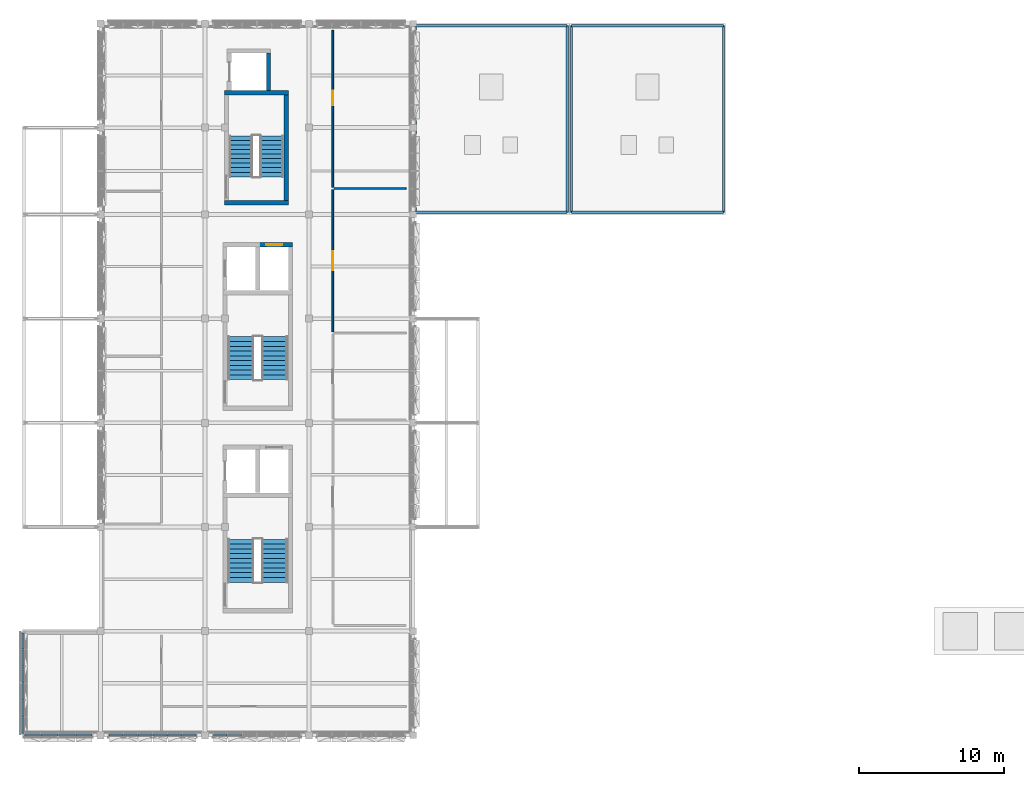
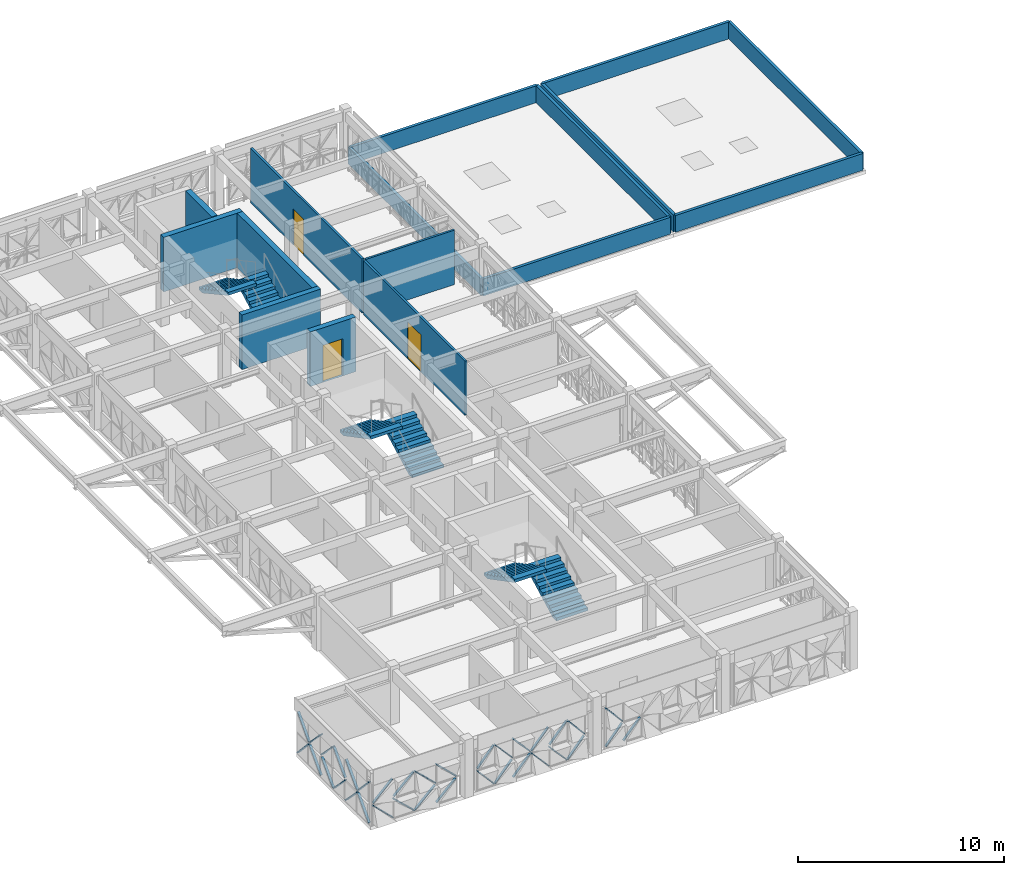
# One storey, part 22 of 30: 35 discrete accessories, 16 walls, 6 stair flights, 3 doors, 3 openings, 3 elements without a shape of their own.
"""IFC4 building model written with IfcOpenShell, lengths in metres."""

from ifc_helpers import new_model, si_unit, direction, frame, frame_2d, origin, origin_2d, place, context, subcontext, project, spatial, polyline, rectangle, outline, extrude, material, layer, layer_set, type_object, element, fill, aggregate, save


model = new_model("IFC4")

# Units and contexts
model_context = context("Model", 3, precision=1e-05, world=origin(), true_north=direction((0.0, 1.0)))
body_context = subcontext(model_context, "Body", "Model", "MODEL_VIEW")
ifc_project = project(units=[si_unit("LENGTHUNIT", "METRE"), si_unit("AREAUNIT", "SQUARE_METRE"), si_unit("VOLUMEUNIT", "CUBIC_METRE"), si_unit("PLANEANGLEUNIT", "RADIAN"), si_unit("MASSUNIT", "GRAM", prefix="KILO")], contexts=[model_context])

# Site, building, storey
site_placement = place(None, origin())
site = spatial("IfcSite", under=ifc_project, at=site_placement, CompositionType="ELEMENT")
building_placement = place(site_placement, origin())
building = spatial("IfcBuilding", under=site, at=building_placement, Name="Alvorim Cloister Faculty of Sciences", CompositionType="ELEMENT")
storey_placement = place(building_placement, frame((0.0, 0.0, 26.25)))
storey = spatial("IfcBuildingStorey", under=building, at=storey_placement, Name="L07", CompositionType="ELEMENT", Elevation=26.25)

# Walls
ifc_material_1 = material(Name="Precast Concrete C40", Category="concrete")
ifc_layer_1 = layer(ifc_material_1, 0.159912109375)
ifc_layer_set_1 = layer_set([ifc_layer_1], Name="Precast Concrete C40")
wall_type_1 = type_object("IfcWallType", Name="WL-PAR-160", PredefinedType="PARAPET", material=ifc_layer_set_1)
wall_1_placement = place(storey_placement, frame((39.449951171875, 43.35009765625, 0.10009765625), z_axis=(0.0, 0.0, 1.0), x_axis=(0.0, 1.0, 0.0)))
element("IfcWall", 1, at=wall_1_placement, inside=storey, type_object=wall_type_1, Name="RF-V4NW Roof Parapet WL-PAR-0259", PredefinedType="PARAPET", context=body_context, shape_type="SweptSolid", body=[
    extrude(rectangle(XDim=12.89990234375, YDim=0.159912109375, at=frame_2d((6.449951171875, 0.0))), origin(), (0.0, 0.0, 1.0), 1.0),
])
wall_2_placement = place(storey_placement, frame((39.449951171875, 56.25, 0.10009765625), z_axis=(0.0, 0.0, 1.0), x_axis=(-1.0, 0.0, 0.0)))
element("IfcWall", 2, at=wall_2_placement, inside=storey, type_object=wall_type_1, Name="RF-V4NW Roof Parapet WL-PAR-0260", PredefinedType="PARAPET", context=body_context, shape_type="SweptSolid", body=[
    extrude(rectangle(XDim=10.5, YDim=0.159912109375, at=frame_2d((5.25, 0.0))), origin(), (0.0, 0.0, 1.0), 1.0),
])
wall_3_placement = place(storey_placement, frame((28.949951171875, 56.25, 0.10009765625), z_axis=(0.0, 0.0, 1.0), x_axis=(0.0, -1.0, 0.0)))
element("IfcWall", 3, at=wall_3_placement, inside=storey, type_object=wall_type_1, Name="RF-V4NW Roof Parapet WL-PAR-0261", PredefinedType="PARAPET", context=body_context, shape_type="SweptSolid", body=[
    extrude(rectangle(XDim=12.89990234375, YDim=0.159912109375, at=frame_2d((6.449951171875, 0.0))), origin(), (0.0, 0.0, 1.0), 1.0),
])
wall_4_placement = place(storey_placement, frame((28.949951171875, 43.35009765625, 0.10009765625), z_axis=(0.0, 0.0, 1.0), x_axis=(1.0, 0.0, 0.0)))
element("IfcWall", 4, at=wall_4_placement, inside=storey, type_object=wall_type_1, Name="RF-V4NW Roof Parapet WL-PAR-0262", PredefinedType="PARAPET", context=body_context, shape_type="SweptSolid", body=[
    extrude(rectangle(XDim=10.5, YDim=0.159912109375, at=frame_2d((5.25, 0.0))), origin(), (0.0, 0.0, 1.0), 1.0),
])
wall_5_placement = place(storey_placement, frame((50.25, 43.35009765625, 0.10009765625), z_axis=(0.0, 0.0, 1.0), x_axis=(0.0, 1.0, 0.0)))
element("IfcWall", 5, at=wall_5_placement, inside=storey, type_object=wall_type_1, Name="RF-V4NE Roof Parapet WL-PAR-0263", PredefinedType="PARAPET", context=body_context, shape_type="SweptSolid", body=[
    extrude(rectangle(XDim=12.89990234375, YDim=0.159912109375, at=frame_2d((6.449951171875, 0.0))), origin(), (0.0, 0.0, 1.0), 1.0),
])
wall_6_placement = place(storey_placement, frame((50.25, 56.25, 0.10009765625), z_axis=(0.0, 0.0, 1.0), x_axis=(-1.0, 0.0, 0.0)))
element("IfcWall", 6, at=wall_6_placement, inside=storey, type_object=wall_type_1, Name="RF-V4NE Roof Parapet WL-PAR-0264", PredefinedType="PARAPET", context=body_context, shape_type="SweptSolid", body=[
    extrude(rectangle(XDim=10.5, YDim=0.159912109375, at=frame_2d((5.25, 0.0))), origin(), (0.0, 0.0, 1.0), 1.0),
])
wall_7_placement = place(storey_placement, frame((39.75, 56.25, 0.10009765625), z_axis=(0.0, 0.0, 1.0), x_axis=(0.0, -1.0, 0.0)))
element("IfcWall", 7, at=wall_7_placement, inside=storey, type_object=wall_type_1, Name="RF-V4NE Roof Parapet WL-PAR-0265", PredefinedType="PARAPET", context=body_context, shape_type="SweptSolid", body=[
    extrude(rectangle(XDim=12.89990234375, YDim=0.159912109375, at=frame_2d((6.449951171875, 0.0))), origin(), (0.0, 0.0, 1.0), 1.0),
])
wall_8_placement = place(storey_placement, frame((39.75, 43.35009765625, 0.10009765625), z_axis=(0.0, 0.0, 1.0), x_axis=(1.0, 0.0, 0.0)))
element("IfcWall", 8, at=wall_8_placement, inside=storey, type_object=wall_type_1, Name="RF-V4NE Roof Parapet WL-PAR-0266", PredefinedType="PARAPET", context=body_context, shape_type="SweptSolid", body=[
    extrude(rectangle(XDim=10.5, YDim=0.159912109375, at=frame_2d((5.25, 0.0))), origin(), (0.0, 0.0, 1.0), 1.0),
])

# Wall, opening, door
ifc_material_2 = material(Name="Acoustic Gypsum Stud Partition", Category="gypsum")
ifc_layer_2 = layer(ifc_material_2, 0.1201171875)
ifc_layer_set_2 = layer_set([ifc_layer_2], Name="Acoustic Gypsum Stud Partition")
wall_type_2 = type_object("IfcWallType", Name="WL-PRT-120", PredefinedType="PARTITIONING", material=ifc_layer_set_2)
wall_9_placement = place(storey_placement, frame((23.25, 35.080078125, 0.0), z_axis=(0.0, 0.0, 1.0), x_axis=(0.0, 1.0, 0.0)))
wall_9 = element("IfcWall", 9, at=wall_9_placement, inside=storey, type_object=wall_type_2, Name="L07 Doctoral Colloquium Room Partition IWL-0700", PredefinedType="PARTITIONING", context=body_context, shape_type="SweptSolid", body=[
    extrude(rectangle(XDim=9.83984375, YDim=0.1201171875, at=frame_2d((4.919921875, 0.0))), origin(), (0.0, 0.0, 1.0), 3.22509765625),
])
opening_1_placement = place(wall_9_placement, frame((4.260009765625, 0.0, 0.0)))
opening_1 = element("IfcOpeningElement", 10, at=opening_1_placement, cuts=wall_9, Name="Opening D-L07-211", PredefinedType="OPENING", context=body_context, shape_type="SweptSolid", body=[
    extrude(rectangle(XDim=1.320068359375, YDim=2.199951171875, at=frame_2d((0.66015625, 1.10009765625))), frame((0.0, 0.072021484375, 0.0), z_axis=(0.0, -1.0, 0.0), x_axis=(1.0, 0.0, 0.0)), (0.0, 0.0, 1.0), 0.14404296875),
])
ifc_material_3 = material(Name="Solid Acoustic Oak Timber", Category="wood")
door_type_1 = type_object("IfcDoorType", Name="DR-SEM-1320x2200", OperationType="NOTDEFINED", PredefinedType="DOOR", material=ifc_material_3)
door_1_placement = place(opening_1_placement, origin())
door_1 = element("IfcDoor", 11, at=door_1_placement, inside=storey, type_object=door_type_1, Name="Doctoral Colloquium Room Door D-L07-211", OperationType="SINGLE_SWING_LEFT", OverallHeight=2.199951171875, OverallWidth=1.320068359375, PredefinedType="DOOR", context=body_context, shape_type="SweptSolid", body=[
    extrude(rectangle(XDim=1.320068359375, YDim=2.199951171875, at=frame_2d((0.66015625, 1.10009765625))), frame((0.0, 0.02490234375, 0.0), z_axis=(0.0, -1.0, 0.0), x_axis=(1.0, 0.0, 0.0)), (0.0, 0.0, 1.0), 0.050048828125),
])
fill(opening_1, door_1)

# Wall
wall_10_placement = place(storey_placement, frame((23.330078125, 45.0, 0.0), z_axis=(0.0, 0.0, 1.0), x_axis=(1.0, 0.0, 0.0)))
element("IfcWall", 12, at=wall_10_placement, inside=storey, type_object=wall_type_2, Name="L07 Doctoral Colloquium Room Partition IWL-0701", PredefinedType="PARTITIONING", context=body_context, shape_type="SweptSolid", body=[
    extrude(rectangle(XDim=4.989990234375, YDim=0.1201171875, at=frame_2d((2.4951171875, 0.0))), origin(), (0.0, 0.0, 1.0), 3.22509765625),
])

# Wall, opening, door
wall_11_placement = place(storey_placement, frame((23.25, 45.080078125, 0.0), z_axis=(0.0, 0.0, 1.0), x_axis=(0.0, 1.0, 0.0)))
wall_11 = element("IfcWall", 13, at=wall_11_placement, inside=storey, type_object=wall_type_2, Name="L07 Emeritus Professors Offices Partition IWL-0702", PredefinedType="PARTITIONING", context=body_context, shape_type="SweptSolid", body=[
    extrude(rectangle(XDim=10.83984375, YDim=0.1201171875, at=frame_2d((5.419921875, 0.0))), origin(), (0.0, 0.0, 1.0), 3.22509765625),
])
opening_2_placement = place(wall_11_placement, frame((5.668212890625, 0.0, 0.0)))
opening_2 = element("IfcOpeningElement", 14, at=opening_2_placement, cuts=wall_11, Name="Opening D-L07-212", PredefinedType="OPENING", context=body_context, shape_type="SweptSolid", body=[
    extrude(rectangle(XDim=1.0, YDim=2.14990234375, at=frame_2d((0.5, 1.074951171875))), frame((0.0, 0.072021484375, 0.0), z_axis=(0.0, -1.0, 0.0), x_axis=(1.0, 0.0, 0.0)), (0.0, 0.0, 1.0), 0.14404296875),
])
door_type_2 = type_object("IfcDoorType", Name="DR-OFF-1000x2150", OperationType="NOTDEFINED", PredefinedType="DOOR", material=ifc_material_3)
door_2_placement = place(opening_2_placement, origin())
door_2 = element("IfcDoor", 15, at=door_2_placement, inside=storey, type_object=door_type_2, Name="Emeritus Professors Offices Door D-L07-212", OperationType="SINGLE_SWING_RIGHT", OverallHeight=2.14990234375, OverallWidth=1.0, PredefinedType="DOOR", context=body_context, shape_type="SweptSolid", body=[
    extrude(rectangle(XDim=1.0, YDim=2.14990234375, at=frame_2d((0.5, 1.074951171875))), frame((0.0, 0.02490234375, 0.0), z_axis=(0.0, -1.0, 0.0), x_axis=(1.0, 0.0, 0.0)), (0.0, 0.0, 1.0), 0.050048828125),
])
fill(opening_2, door_2)

# Walls
ifc_material_4 = material(Name="Concrete C40", Category="concrete")
ifc_layer_3 = layer(ifc_material_4, 0.300048828125)
ifc_layer_set_3 = layer_set([ifc_layer_3], Name="Concrete C40")
wall_type_3 = type_object("IfcWallType", Name="WL-SHR-300", PredefinedType="SHEAR", material=ifc_layer_set_3)
for number, where, z_axis, x_axis, name in (
    (16, (15.75, 44.0, 0.0), (0.0, 0.0, 1.0), (1.0, 0.0, 0.0), "L07 CORE K3 Shear Wall IWL-0121"),
    (17, (15.75, 51.60009765625, 0.0), (0.0, 0.0, 1.0), (1.0, 0.0, 0.0), "L07 CORE K3 Shear Wall IWL-0122"),
):
    element("IfcWall", number, at=place(storey_placement, frame(where, z_axis=z_axis, x_axis=x_axis)), inside=storey, type_object=wall_type_3, Name=name, PredefinedType="SHEAR", context=body_context, shape_type="SweptSolid", body=[
        extrude(rectangle(XDim=4.419921875, YDim=0.300048828125, at=frame_2d((2.2099609375, 0.0))), origin(), (0.0, 0.0, 1.0), 3.239990234375),
    ])
wall_12_placement = place(storey_placement, frame((20.02001953125, 44.14990234375, 0.0), z_axis=(0.0, 0.0, 1.0), x_axis=(0.0, 1.0, 0.0)))
element("IfcWall", 18, at=wall_12_placement, inside=storey, type_object=wall_type_3, Name="L07 CORE K3 Shear Wall IWL-0124", PredefinedType="SHEAR", context=body_context, shape_type="SweptSolid", body=[
    extrude(rectangle(XDim=7.300048828125, YDim=0.300048828125, at=frame_2d((3.64990234375, 0.0))), origin(), (0.0, 0.0, 1.0), 3.239990234375),
])

# Wall, opening, door
wall_13_placement = place(storey_placement, frame((17.909912109375, 41.10009765625, 0.0), z_axis=(0.0, 0.0, 1.0), x_axis=(1.0, 0.0, 0.0)))
wall_13 = element("IfcWall", 19, at=wall_13_placement, inside=storey, type_object=wall_type_3, Name="L07 Lift LP-03 Shaft Wall IWL-0334", PredefinedType="SHEAR", context=body_context, shape_type="SweptSolid", body=[
    extrude(rectangle(XDim=2.56005859375, YDim=0.300048828125, at=frame_2d((1.280029296875, 0.0))), origin(), (0.0, 0.0, 1.0), 3.239990234375),
])
opening_3_placement = place(wall_13_placement, frame((0.72998046875, 0.0, 0.0)))
opening_3 = element("IfcOpeningElement", 20, at=opening_3_placement, cuts=wall_13, Name="Opening LD-041", PredefinedType="OPENING", context=body_context, shape_type="SweptSolid", body=[
    extrude(rectangle(XDim=1.10009765625, YDim=2.199951171875, at=frame_2d((0.550048828125, 1.10009765625))), frame((0.0, 0.162109375, 0.0), z_axis=(0.0, -1.0, 0.0), x_axis=(1.0, 0.0, 0.0)), (0.0, 0.0, 1.0), 0.323974609375),
])
ifc_material_5 = material(Name="Brushed Stainless Steel", Category="steel")
door_type_3 = type_object("IfcDoorType", Name="DR-LFT-1100x2200", OperationType="NOTDEFINED", PredefinedType="DOOR", material=ifc_material_5)
door_3_placement = place(opening_3_placement, origin())
door_3 = element("IfcDoor", 21, at=door_3_placement, inside=storey, type_object=door_type_3, Name="L07 Lift LP-03 Sliding Landing Door LD-041", OperationType="DOUBLE_DOOR_SLIDING", OverallHeight=2.199951171875, OverallWidth=1.10009765625, PredefinedType="DOOR", context=body_context, shape_type="SweptSolid", body=[
    extrude(rectangle(XDim=1.10009765625, YDim=2.199951171875, at=frame_2d((0.550048828125, 1.10009765625))), frame((0.0, 0.02490234375, 0.0), z_axis=(0.0, -1.0, 0.0), x_axis=(1.0, 0.0, 0.0)), (0.0, 0.0, 1.0), 0.050048828125),
])
fill(opening_3, door_3)

# Wall
wall_14_placement = place(storey_placement, frame((18.800048828125, 51.780029296875, 0.0), z_axis=(0.0, 0.0, 1.0), x_axis=(0.0, 1.0, 0.0)))
element("IfcWall", 22, at=wall_14_placement, inside=storey, type_object=wall_type_3, Name="L07 Lift LG-01 Shaft Wall IWL-0406", PredefinedType="SHEAR", context=body_context, shape_type="SweptSolid", body=[
    extrude(rectangle(XDim=2.570068359375, YDim=0.300048828125, at=frame_2d((1.28515625, 0.0))), origin(), (0.0, 0.0, 1.0), 3.239990234375),
])

# Stair, stair flights
stair_type_1 = type_object("IfcStairType", Name="STR-ST-01-1780x3450", PredefinedType="HALF_TURN_STAIR", material=ifc_material_4)
stair_1_placement = place(storey_placement, origin())
stair_1 = element("IfcStair", 23, at=stair_1_placement, inside=storey, type_object=stair_type_1, Name="L07 Enclosed Smoke-Proof Stair ST-01", PredefinedType="HALF_TURN_STAIR")
stair_flight_type_1 = type_object("IfcStairFlightType", Name="FLT-ST-01-1780x1725", PredefinedType="STRAIGHT", material=ifc_material_4)
stair_flight_1_placement = place(storey_placement, frame((19.22998046875, 17.780029296875, 0.0), z_axis=(0.0, 0.0, 1.0), x_axis=(0.0, 1.0, 0.0)))
stair_flight_1 = element("IfcStairFlight", 24, at=stair_flight_1_placement, type_object=stair_flight_type_1, Name="ST-01 flight 1", NumberOfRisers=10, NumberOfTreads=9, PredefinedType="STRAIGHT", RiserHeight=0.1725, TreadLength=0.33, context=body_context, shape_type="SweptSolid", body=[
    extrude(outline(polyline([(0.34521484375, 0.0), (2.969970703125, 1.3720703125), (2.969970703125, 1.72509765625), (2.969970703125, 1.552490234375), (2.639892578125, 1.552490234375), (2.639892578125, 1.3798828125), (2.31005859375, 1.3798828125), (2.31005859375, 1.20751953125), (1.97998046875, 1.20751953125), (1.97998046875, 1.034912109375), (1.64990234375, 1.034912109375), (1.64990234375, 0.862548828125), (1.320068359375, 0.862548828125), (1.320068359375, 0.68994140625), (0.989990234375, 0.68994140625), (0.989990234375, 0.517578125), (0.659912109375, 0.517578125), (0.659912109375, 0.344970703125), (0.330078125, 0.344970703125), (0.330078125, 0.172607421875), (0.0, 0.172607421875), (0.0, 0.0), (0.34521484375, 0.0)])), frame((0.0, 0.89013671875, 0.0), z_axis=(0.0, -1.0, 0.0), x_axis=(1.0, 0.0, 0.0)), (0.0, 0.0, 1.0), 1.780029296875),
])
stair_flight_2_placement = place(storey_placement, frame((16.889892578125, 20.75, 1.72509765625), z_axis=(0.0, 0.0, 1.0), x_axis=(0.0, -1.0, 0.0)))
stair_flight_2 = element("IfcStairFlight", 25, at=stair_flight_2_placement, type_object=stair_flight_type_1, Name="ST-01 flight 2", NumberOfRisers=10, NumberOfTreads=9, PredefinedType="STRAIGHT", RiserHeight=0.1725, TreadLength=0.33, context=body_context, shape_type="SweptSolid", body=[
    extrude(outline(polyline([(0.34521484375, 0.0), (2.969970703125, 1.3720703125), (2.969970703125, 1.72509765625), (2.969970703125, 1.552490234375), (2.639892578125, 1.552490234375), (2.639892578125, 1.3798828125), (2.31005859375, 1.3798828125), (2.31005859375, 1.20751953125), (1.97998046875, 1.20751953125), (1.97998046875, 1.034912109375), (1.64990234375, 1.034912109375), (1.64990234375, 0.862548828125), (1.320068359375, 0.862548828125), (1.320068359375, 0.68994140625), (0.989990234375, 0.68994140625), (0.989990234375, 0.517578125), (0.659912109375, 0.517578125), (0.659912109375, 0.344970703125), (0.330078125, 0.344970703125), (0.330078125, 0.172607421875), (0.0, 0.172607421875), (0.0, 0.0), (0.34521484375, 0.0)])), frame((0.0, 0.89013671875, 0.0), z_axis=(0.0, -1.0, 0.0), x_axis=(1.0, 0.0, 0.0)), (0.0, 0.0, 1.0), 1.780029296875),
])
aggregate(stair_1, [stair_flight_1, stair_flight_2])

stair_type_2 = type_object("IfcStairType", Name="STR-ST-02-1780x3450", PredefinedType="HALF_TURN_STAIR", material=ifc_material_4)
stair_2_placement = place(storey_placement, origin())
stair_2 = element("IfcStair", 26, at=stair_2_placement, inside=storey, type_object=stair_type_2, Name="L07 Enclosed Smoke-Proof Stair ST-02", PredefinedType="HALF_TURN_STAIR")
stair_flight_type_2 = type_object("IfcStairFlightType", Name="FLT-ST-02-1780x1725", PredefinedType="STRAIGHT", material=ifc_material_4)
stair_flight_3_placement = place(storey_placement, frame((19.22998046875, 31.780029296875, 0.0), z_axis=(0.0, 0.0, 1.0), x_axis=(0.0, 1.0, 0.0)))
stair_flight_3 = element("IfcStairFlight", 27, at=stair_flight_3_placement, type_object=stair_flight_type_2, Name="ST-02 flight 1", NumberOfRisers=10, NumberOfTreads=9, PredefinedType="STRAIGHT", RiserHeight=0.1725, TreadLength=0.33, context=body_context, shape_type="SweptSolid", body=[
    extrude(outline(polyline([(0.34521484375, 0.0), (2.969970703125, 1.3720703125), (2.969970703125, 1.72509765625), (2.969970703125, 1.552490234375), (2.639892578125, 1.552490234375), (2.639892578125, 1.3798828125), (2.31005859375, 1.3798828125), (2.31005859375, 1.20751953125), (1.97998046875, 1.20751953125), (1.97998046875, 1.034912109375), (1.64990234375, 1.034912109375), (1.64990234375, 0.862548828125), (1.320068359375, 0.862548828125), (1.320068359375, 0.68994140625), (0.989990234375, 0.68994140625), (0.989990234375, 0.517578125), (0.659912109375, 0.517578125), (0.659912109375, 0.344970703125), (0.330078125, 0.344970703125), (0.330078125, 0.172607421875), (0.0, 0.172607421875), (0.0, 0.0), (0.34521484375, 0.0)])), frame((0.0, 0.89013671875, 0.0), z_axis=(0.0, -1.0, 0.0), x_axis=(1.0, 0.0, 0.0)), (0.0, 0.0, 1.0), 1.780029296875),
])
stair_flight_4_placement = place(storey_placement, frame((16.889892578125, 34.75, 1.72509765625), z_axis=(0.0, 0.0, 1.0), x_axis=(0.0, -1.0, 0.0)))
stair_flight_4 = element("IfcStairFlight", 28, at=stair_flight_4_placement, type_object=stair_flight_type_2, Name="ST-02 flight 2", NumberOfRisers=10, NumberOfTreads=9, PredefinedType="STRAIGHT", RiserHeight=0.1725, TreadLength=0.33, context=body_context, shape_type="SweptSolid", body=[
    extrude(outline(polyline([(0.34521484375, 0.0), (2.969970703125, 1.3720703125), (2.969970703125, 1.72509765625), (2.969970703125, 1.552490234375), (2.639892578125, 1.552490234375), (2.639892578125, 1.3798828125), (2.31005859375, 1.3798828125), (2.31005859375, 1.20751953125), (1.97998046875, 1.20751953125), (1.97998046875, 1.034912109375), (1.64990234375, 1.034912109375), (1.64990234375, 0.862548828125), (1.320068359375, 0.862548828125), (1.320068359375, 0.68994140625), (0.989990234375, 0.68994140625), (0.989990234375, 0.517578125), (0.659912109375, 0.517578125), (0.659912109375, 0.344970703125), (0.330078125, 0.344970703125), (0.330078125, 0.172607421875), (0.0, 0.172607421875), (0.0, 0.0), (0.34521484375, 0.0)])), frame((0.0, 0.89013671875, 0.0), z_axis=(0.0, -1.0, 0.0), x_axis=(1.0, 0.0, 0.0)), (0.0, 0.0, 1.0), 1.780029296875),
])
aggregate(stair_2, [stair_flight_3, stair_flight_4])

stair_type_3 = type_object("IfcStairType", Name="STR-ST-03-1600x3450", PredefinedType="HALF_TURN_STAIR", material=ifc_material_4)
stair_3_placement = place(storey_placement, origin())
stair_3 = element("IfcStair", 29, at=stair_3_placement, inside=storey, type_object=stair_type_3, Name="L07 Enclosed Smoke-Proof Stair ST-03", PredefinedType="HALF_TURN_STAIR")
stair_flight_type_3 = type_object("IfcStairFlightType", Name="FLT-ST-03-1600x1725", PredefinedType="STRAIGHT", material=ifc_material_4)
stair_flight_5_placement = place(storey_placement, frame((19.02001953125, 45.800048828125, 0.0), z_axis=(0.0, 0.0, 1.0), x_axis=(0.0, 1.0, 0.0)))
stair_flight_5 = element("IfcStairFlight", 30, at=stair_flight_5_placement, type_object=stair_flight_type_3, Name="ST-03 flight 1", NumberOfRisers=10, NumberOfTreads=9, PredefinedType="STRAIGHT", RiserHeight=0.1725, TreadLength=0.315, context=body_context, shape_type="SweptSolid", body=[
    extrude(outline(polyline([(0.3330078125, 0.0), (2.8349609375, 1.3701171875), (2.8349609375, 1.72509765625), (2.8349609375, 1.552490234375), (2.52001953125, 1.552490234375), (2.52001953125, 1.3798828125), (2.205078125, 1.3798828125), (2.205078125, 1.20751953125), (1.889892578125, 1.20751953125), (1.889892578125, 1.034912109375), (1.574951171875, 1.034912109375), (1.574951171875, 0.862548828125), (1.260009765625, 0.862548828125), (1.260009765625, 0.68994140625), (0.945068359375, 0.68994140625), (0.945068359375, 0.517578125), (0.6298828125, 0.517578125), (0.6298828125, 0.344970703125), (0.31494140625, 0.344970703125), (0.31494140625, 0.172607421875), (0.0, 0.172607421875), (0.0, 0.0), (0.3330078125, 0.0)])), frame((0.0, 0.800048828125, 0.0), z_axis=(0.0, -1.0, 0.0), x_axis=(1.0, 0.0, 0.0)), (0.0, 0.0, 1.0), 1.60009765625),
])
stair_flight_6_placement = place(storey_placement, frame((16.89990234375, 48.635009765625, 1.72509765625), z_axis=(0.0, 0.0, 1.0), x_axis=(0.0, -1.0, 0.0)))
stair_flight_6 = element("IfcStairFlight", 31, at=stair_flight_6_placement, type_object=stair_flight_type_3, Name="ST-03 flight 2", NumberOfRisers=10, NumberOfTreads=9, PredefinedType="STRAIGHT", RiserHeight=0.1725, TreadLength=0.315, context=body_context, shape_type="SweptSolid", body=[
    extrude(outline(polyline([(0.3330078125, 0.0), (2.8349609375, 1.3701171875), (2.8349609375, 1.72509765625), (2.8349609375, 1.552490234375), (2.52001953125, 1.552490234375), (2.52001953125, 1.3798828125), (2.205078125, 1.3798828125), (2.205078125, 1.20751953125), (1.889892578125, 1.20751953125), (1.889892578125, 1.034912109375), (1.574951171875, 1.034912109375), (1.574951171875, 0.862548828125), (1.260009765625, 0.862548828125), (1.260009765625, 0.68994140625), (0.945068359375, 0.68994140625), (0.945068359375, 0.517578125), (0.6298828125, 0.517578125), (0.6298828125, 0.344970703125), (0.31494140625, 0.344970703125), (0.31494140625, 0.172607421875), (0.0, 0.172607421875), (0.0, 0.0), (0.3330078125, 0.0)])), frame((0.0, 0.800048828125, 0.0), z_axis=(0.0, -1.0, 0.0), x_axis=(1.0, 0.0, 0.0)), (0.0, 0.0, 1.0), 1.60009765625),
])
aggregate(stair_3, [stair_flight_5, stair_flight_6])

# Discrete accessories
ifc_material_6 = material(Name="Aluminium Alloy 6063-T6", Category="aluminium")
discrete_accessory_type = type_object("IfcDiscreteAccessoryType", Name="ACC-DIAG-BAR", PredefinedType="BRACKET", material=ifc_material_6)
for number, where, z_axis, x_axis, name in (
    (32, (15.0048828125, 7.222412109375, 0.139892578125), (0.653661975886, 0.007091860548, 0.756753412146), (-0.010848792579, 0.999941150118, 0.0), "Diagonal Cassette Glazing Bracket ACC-02909"),
    (33, (15.0048828125, 7.222412109375, 2.416015625), (0.653661975886, 0.007091860548, -0.756753412146), (-0.010848792579, 0.999941150118, 0.0), "Diagonal Cassette Glazing Bracket ACC-02910"),
):
    element("IfcDiscreteAccessory", number, at=place(storey_placement, frame(where, z_axis=z_axis, x_axis=x_axis)), inside=storey, type_object=discrete_accessory_type, Name=name, PredefinedType="BRACKET", context=body_context, shape_type="SweptSolid", body=[
        extrude(rectangle(XDim=0.139892578125, YDim=0.044921875, at=origin_2d()), origin(), (0.0, 0.0, 1.0), 1.411376953125),
    ])
discrete_accessory_1_placement = place(storey_placement, frame((15.992431640625, 7.222412109375, 0.139892578125), z_axis=(0.666544474067, 0.00698576775, 0.745432534264), x_axis=(-0.010479997039, 0.999945083323, 0.0)))
element("IfcDiscreteAccessory", 34, at=discrete_accessory_1_placement, inside=storey, type_object=discrete_accessory_type, Name="Diagonal Cassette Glazing Bracket ACC-02911", PredefinedType="BRACKET", context=body_context, shape_type="SweptSolid", body=[
    extrude(rectangle(XDim=0.139892578125, YDim=0.044921875, at=origin_2d()), origin(), (0.0, 0.0, 1.0), 1.432861328125),
])
for number, where, z_axis, x_axis, name in (
    (35, (7.804931640625, 7.222412109375, 1.2080078125), (0.653661975886, 0.007091860548, -0.756753412146), (-0.010848792579, 0.999941150118, 0.0), "Diagonal Cassette Glazing Bracket ACC-02922"),
    (36, (7.804931640625, 7.222412109375, 1.347900390625), (0.653661975886, 0.007091860548, 0.756753412146), (-0.010848792579, 0.999941150118, 0.0), "Diagonal Cassette Glazing Bracket ACC-02923"),
):
    element("IfcDiscreteAccessory", number, at=place(storey_placement, frame(where, z_axis=z_axis, x_axis=x_axis)), inside=storey, type_object=discrete_accessory_type, Name=name, PredefinedType="BRACKET", context=body_context, shape_type="SweptSolid", body=[
        extrude(rectangle(XDim=0.139892578125, YDim=0.044921875, at=origin_2d()), origin(), (0.0, 0.0, 1.0), 1.411376953125),
    ])
for number, where, z_axis, x_axis, name in (
    (37, (8.79248046875, 7.222412109375, 0.139892578125), (0.666544474067, 0.00698576775, 0.745432534264), (-0.010479997039, 0.999945083323, 0.0), "Diagonal Cassette Glazing Bracket ACC-02924"),
    (38, (8.79248046875, 7.222412109375, 2.416015625), (0.666544474067, 0.00698576775, -0.745432534264), (-0.010479997039, 0.999945083323, 0.0), "Diagonal Cassette Glazing Bracket ACC-02925"),
    (39, (9.8125, 7.222412109375, 0.139892578125), (0.666544474067, 0.00698576775, 0.745432534264), (-0.010479997039, 0.999945083323, 0.0), "Diagonal Cassette Glazing Bracket ACC-02926"),
    (40, (9.8125, 7.222412109375, 2.416015625), (0.666544474067, 0.00698576775, -0.745432534264), (-0.010479997039, 0.999945083323, 0.0), "Diagonal Cassette Glazing Bracket ACC-02927"),
    (41, (10.83251953125, 7.222412109375, 1.2080078125), (0.666544474067, 0.00698576775, -0.745432534264), (-0.010479997039, 0.999945083323, 0.0), "Diagonal Cassette Glazing Bracket ACC-02928"),
    (42, (10.83251953125, 7.222412109375, 1.347900390625), (0.666544474067, 0.00698576775, 0.745432534264), (-0.010479997039, 0.999945083323, 0.0), "Diagonal Cassette Glazing Bracket ACC-02929"),
    (43, (11.8525390625, 7.222412109375, 1.2080078125), (0.666544474067, 0.00698576775, -0.745432534264), (-0.010479997039, 0.999945083323, 0.0), "Diagonal Cassette Glazing Bracket ACC-02930"),
    (44, (11.8525390625, 7.222412109375, 1.347900390625), (0.666544474067, 0.00698576775, 0.745432534264), (-0.010479997039, 0.999945083323, 0.0), "Diagonal Cassette Glazing Bracket ACC-02931"),
):
    element("IfcDiscreteAccessory", number, at=place(storey_placement, frame(where, z_axis=z_axis, x_axis=x_axis)), inside=storey, type_object=discrete_accessory_type, Name=name, PredefinedType="BRACKET", context=body_context, shape_type="SweptSolid", body=[
        extrude(rectangle(XDim=0.139892578125, YDim=0.044921875, at=origin_2d()), origin(), (0.0, 0.0, 1.0), 1.432861328125),
    ])
for number, where, z_axis, x_axis, name in (
    (45, (12.87255859375, 7.222412109375, 0.139892578125), (0.653562893398, 0.007092662422, 0.756838977929), (-0.010851663811, 0.999941118963, 0.0), "Diagonal Cassette Glazing Bracket ACC-02932"),
    (46, (12.87255859375, 7.222412109375, 2.416015625), (0.653562893398, 0.007092662422, -0.756838977929), (-0.010851663811, 0.999941118963, 0.0), "Diagonal Cassette Glazing Bracket ACC-02933"),
):
    element("IfcDiscreteAccessory", number, at=place(storey_placement, frame(where, z_axis=z_axis, x_axis=x_axis)), inside=storey, type_object=discrete_accessory_type, Name=name, PredefinedType="BRACKET", context=body_context, shape_type="SweptSolid", body=[
        extrude(rectangle(XDim=0.139892578125, YDim=0.044921875, at=origin_2d()), origin(), (0.0, 0.0, 1.0), 1.411376953125),
    ])
for number, where, z_axis, x_axis, name in (
    (47, (1.945068359375, 7.222412109375, 1.2080078125), (0.716592167139, 0.006536213315, -0.697461786703), (-0.009120866422, 0.999958404033, 0.0), "Diagonal Cassette Glazing Bracket ACC-02935"),
    (48, (1.945068359375, 7.222412109375, 1.347900390625), (0.716592167139, 0.006536213315, 0.697461786703), (-0.009120866422, 0.999958404033, 0.0), "Diagonal Cassette Glazing Bracket ACC-02936"),
):
    element("IfcDiscreteAccessory", number, at=place(storey_placement, frame(where, z_axis=z_axis, x_axis=x_axis)), inside=storey, type_object=discrete_accessory_type, Name=name, PredefinedType="BRACKET", context=body_context, shape_type="SweptSolid", body=[
        extrude(rectangle(XDim=0.139892578125, YDim=0.044921875, at=origin_2d()), origin(), (0.0, 0.0, 1.0), 1.531494140625),
    ])
for number, where, z_axis, x_axis, name in (
    (49, (3.107421875, 7.222412109375, 1.2080078125), (0.726749866406, 0.006436972245, -0.68687203835), (-0.008856857176, 0.999960777271, 0.0), "Diagonal Cassette Glazing Bracket ACC-02937"),
    (50, (3.107421875, 7.222412109375, 1.347900390625), (0.726749866406, 0.006436972245, 0.68687203835), (-0.008856857176, 0.999960777271, 0.0), "Diagonal Cassette Glazing Bracket ACC-02938"),
    (51, (4.302490234375, 7.222412109375, 0.139892578125), (0.726749866406, 0.006436972245, 0.68687203835), (-0.008856857176, 0.999960777271, 0.0), "Diagonal Cassette Glazing Bracket ACC-02939"),
    (52, (4.302490234375, 7.222412109375, 2.416015625), (0.726749866406, 0.006436972245, -0.68687203835), (-0.008856857176, 0.999960777271, 0.0), "Diagonal Cassette Glazing Bracket ACC-02940"),
):
    element("IfcDiscreteAccessory", number, at=place(storey_placement, frame(where, z_axis=z_axis, x_axis=x_axis)), inside=storey, type_object=discrete_accessory_type, Name=name, PredefinedType="BRACKET", context=body_context, shape_type="SweptSolid", body=[
        extrude(rectangle(XDim=0.139892578125, YDim=0.044921875, at=origin_2d()), origin(), (0.0, 0.0, 1.0), 1.554931640625),
    ])
for number, where, z_axis, x_axis, name in (
    (53, (5.49755859375, 7.222412109375, 0.139892578125), (0.716592167139, 0.006536213315, 0.697461786703), (-0.009120866422, 0.999958404033, 0.0), "Diagonal Cassette Glazing Bracket ACC-02941"),
    (54, (5.49755859375, 7.222412109375, 2.416015625), (0.716592167139, 0.006536213315, -0.697461786703), (-0.009120866422, 0.999958404033, 0.0), "Diagonal Cassette Glazing Bracket ACC-02942"),
):
    element("IfcDiscreteAccessory", number, at=place(storey_placement, frame(where, z_axis=z_axis, x_axis=x_axis)), inside=storey, type_object=discrete_accessory_type, Name=name, PredefinedType="BRACKET", context=body_context, shape_type="SweptSolid", body=[
        extrude(rectangle(XDim=0.139892578125, YDim=0.044921875, at=origin_2d()), origin(), (0.0, 0.0, 1.0), 1.531494140625),
    ])
for number, where, z_axis, x_axis, name in (
    (55, (1.822509765625, 7.344970703125, 0.139892578125), (0.00637495121, 0.685229511721, 0.728299304039), (-0.99995672636, 0.009302978394, 0.0), "Diagonal Cassette Glazing Bracket ACC-02944"),
    (56, (1.822509765625, 7.344970703125, 2.56689453125), (0.00637567316, 0.685307112552, -0.728226278212), (-0.99995672636, 0.009302978394, 0.0), "Diagonal Cassette Glazing Bracket ACC-02945"),
):
    element("IfcDiscreteAccessory", number, at=place(storey_placement, frame(where, z_axis=z_axis, x_axis=x_axis)), inside=storey, type_object=discrete_accessory_type, Name=name, PredefinedType="BRACKET", context=body_context, shape_type="SweptSolid", body=[
        extrude(rectangle(XDim=0.139892578125, YDim=0.044921875, at=origin_2d()), origin(), (0.0, 0.0, 1.0), 1.570068359375),
    ])
for number, where, z_axis, x_axis, name in (
    (57, (1.822509765625, 8.48583984375, 1.283447265625), (0.006285185008, 0.695969266735, -0.718044062861), (-0.999959224486, 0.009030468767, 0.0), "Diagonal Cassette Glazing Bracket ACC-02946"),
    (58, (1.822509765625, 8.48583984375, 1.423583984375), (0.006285876885, 0.696045879425, 0.717969791486), (-0.999959224486, 0.009030468767, 0.0), "Diagonal Cassette Glazing Bracket ACC-02947"),
    (59, (1.822509765625, 9.6591796875, 1.283447265625), (0.006285185008, 0.695969266735, -0.718044062861), (-0.999959224486, 0.009030468767, 0.0), "Diagonal Cassette Glazing Bracket ACC-02948"),
    (60, (1.822509765625, 9.6591796875, 1.423583984375), (0.006285876885, 0.696045879425, 0.717969791486), (-0.999959224486, 0.009030468767, 0.0), "Diagonal Cassette Glazing Bracket ACC-02949"),
    (61, (1.822509765625, 10.83251953125, 0.139892578125), (0.006285185008, 0.695969266735, 0.718044062861), (-0.999959224486, 0.009030468767, 0.0), "Diagonal Cassette Glazing Bracket ACC-02950"),
    (62, (1.822509765625, 10.83251953125, 2.56689453125), (0.006285876885, 0.696045879425, -0.717969791486), (-0.999959224486, 0.009030468767, 0.0), "Diagonal Cassette Glazing Bracket ACC-02951"),
    (63, (1.822509765625, 12.005859375, 0.139892578125), (0.006285185008, 0.695969266735, 0.718044062861), (-0.999959224486, 0.009030468767, 0.0), "Diagonal Cassette Glazing Bracket ACC-02952"),
    (64, (1.822509765625, 12.005859375, 2.56689453125), (0.006285876885, 0.696045879425, -0.717969791486), (-0.999959224486, 0.009030468767, 0.0), "Diagonal Cassette Glazing Bracket ACC-02953"),
):
    element("IfcDiscreteAccessory", number, at=place(storey_placement, frame(where, z_axis=z_axis, x_axis=x_axis)), inside=storey, type_object=discrete_accessory_type, Name=name, PredefinedType="BRACKET", context=body_context, shape_type="SweptSolid", body=[
        extrude(rectangle(XDim=0.139892578125, YDim=0.044921875, at=origin_2d()), origin(), (0.0, 0.0, 1.0), 1.592529296875),
    ])
discrete_accessory_2_placement = place(storey_placement, frame((1.822509765625, 13.17919921875, 1.283447265625), z_axis=(0.006375630454, 0.685147019028, -0.728376903569), x_axis=(-0.999956706716, 0.009305089645, 0.0)))
element("IfcDiscreteAccessory", 65, at=discrete_accessory_2_placement, inside=storey, type_object=discrete_accessory_type, Name="Diagonal Cassette Glazing Bracket ACC-02954", PredefinedType="BRACKET", context=body_context, shape_type="SweptSolid", body=[
    extrude(rectangle(XDim=0.139892578125, YDim=0.044921875, at=origin_2d()), origin(), (0.0, 0.0, 1.0), 1.570068359375),
])
discrete_accessory_3_placement = place(storey_placement, frame((1.822509765625, 13.17919921875, 1.423583984375), z_axis=(0.006376352635, 0.685224627055, 0.728303887539), x_axis=(-0.999956706716, 0.009305089645, 0.0)))
element("IfcDiscreteAccessory", 66, at=discrete_accessory_3_placement, inside=storey, type_object=discrete_accessory_type, Name="Diagonal Cassette Glazing Bracket ACC-02955", PredefinedType="BRACKET", context=body_context, shape_type="SweptSolid", body=[
    extrude(rectangle(XDim=0.139892578125, YDim=0.044921875, at=origin_2d()), origin(), (0.0, 0.0, 1.0), 1.56982421875),
])

save(model, "model.ifc")
